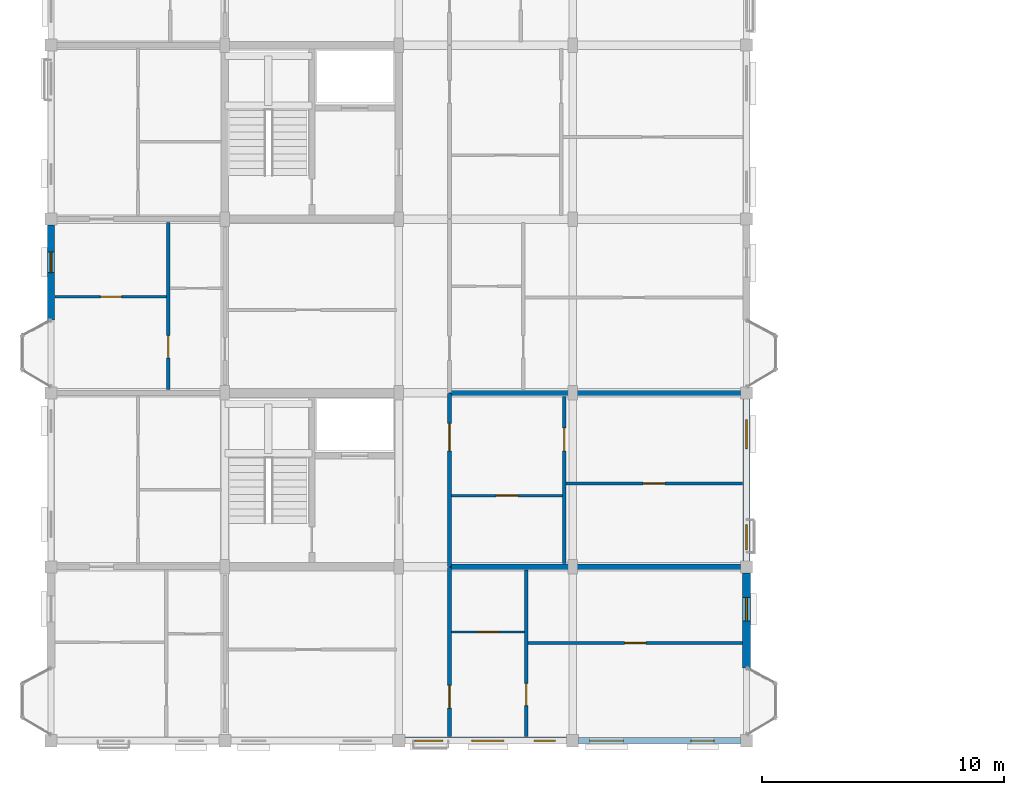
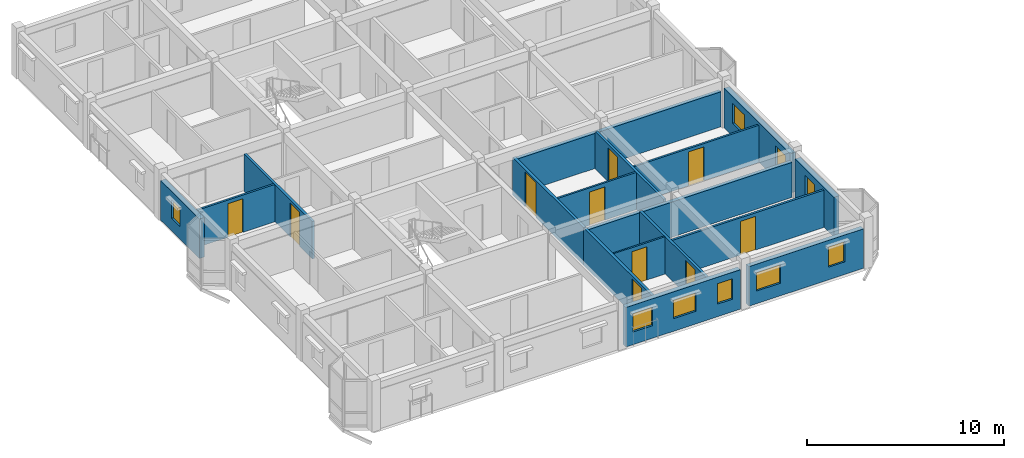
# One storey, part 40 of 64: 17 walls, 10 doors, 9 windows, 19 openings.
"""IFC4 building model written with IfcOpenShell, lengths in metres."""

import ifcopenshell
import ifcopenshell.guid

model = None  # the IFC model being written
_history = None  # IfcOwnerHistory: only IFC2X3 demands one
_inside = {}  # id of a spatial element -> (the spatial element, [elements in it])
_under = {}  # id of a project, library or spatial element -> (it, [spatial elements below it])
_declared = {}  # id of a project -> (the project, [libraries it declares])
_typed = {}  # id of a type object -> (the type object, [elements of that type])
_made_of = {}  # id of a material, layer set ... -> (it, [elements and type objects made of it])


def new_model(schema):
    """Start an empty IFC model of exactly this schema.

    Asked for "IFC4X3", IfcOpenShell would pick the latest addendum, in which some entities
    have other attributes; the version numbers below select the first issue.
    IFC2X3 requires an IfcOwnerHistory on every rooted entity: one is made here for all.
    """
    global model, _history
    if schema == "IFC4X3":
        model = ifcopenshell.file(schema_version=(4, 3, 0, 0))
    else:
        model = ifcopenshell.file(schema=schema)
    _inside.clear()
    _under.clear()
    _declared.clear()
    _typed.clear()
    _made_of.clear()
    _history = None
    if model.schema == "IFC2X3":
        org = make("IfcOrganization", Name="unknown")
        user = make(
            "IfcPersonAndOrganization",
            ThePerson=make("IfcPerson", FamilyName="unknown"),
            TheOrganization=org,
        )
        app = make(
            "IfcApplication",
            ApplicationDeveloper=org,
            Version="unknown",
            ApplicationFullName="unknown",
            ApplicationIdentifier="unknown",
        )
        _history = make(
            "IfcOwnerHistory",
            OwningUser=user,
            OwningApplication=app,
            ChangeAction="ADDED",
            CreationDate=0,
        )
    return model


def make(cls, **values):
    """One entity of the class cls with the attributes given. An attribute that is None is left unset."""
    return model.create_entity(
        cls, **{name: value for name, value in values.items() if value is not None}
    )


def rooted(cls, **values):
    """An entity with a GlobalId (a new one), such as an element, a storey or a relation."""
    return make(cls, GlobalId=ifcopenshell.guid.new(), OwnerHistory=_history, **values)


def si_unit(unit_type, name, prefix=None):
    """IfcSIUnit, for example si_unit("LENGTHUNIT", "METRE", prefix="MILLI")."""
    return make("IfcSIUnit", UnitType=unit_type, Prefix=prefix, Name=name)


def assignment(units):
    """IfcUnitAssignment: the units of a project."""
    return None if units is None else make("IfcUnitAssignment", Units=units)


def point(xyz):
    """IfcCartesianPoint."""
    return None if xyz is None else make("IfcCartesianPoint", Coordinates=xyz)


def direction(xyz):
    """IfcDirection."""
    return None if xyz is None else make("IfcDirection", DirectionRatios=xyz)


def frame(location, z_axis=None, x_axis=None):
    """IfcAxis2Placement3D, a coordinate frame: its origin and axes. An axis left out is left unset."""
    return make(
        "IfcAxis2Placement3D",
        Location=point(location),
        Axis=direction(z_axis),
        RefDirection=direction(x_axis),
    )


def frame_2d(location, x_axis=None):
    """IfcAxis2Placement2D, a coordinate frame in the plane: its origin and x axis."""
    return make(
        "IfcAxis2Placement2D", Location=point(location), RefDirection=direction(x_axis)
    )


def origin():
    """The frame at (0, 0, 0) with its axes left unset."""
    return frame((0.0, 0.0, 0.0))


def place(relative_to, where):
    """IfcLocalPlacement: puts the frame where relative to a parent placement (None: the world)."""
    return make(
        "IfcLocalPlacement", PlacementRelTo=relative_to, RelativePlacement=where
    )


def context(
    kind, dimensions, precision=None, world=None, true_north=None, identifier=None
):
    """IfcGeometricRepresentationContext, for example the 3D "Model" context."""
    return make(
        "IfcGeometricRepresentationContext",
        ContextIdentifier=identifier,
        ContextType=kind,
        CoordinateSpaceDimension=dimensions,
        Precision=precision,
        WorldCoordinateSystem=world,
        TrueNorth=true_north,
    )


def subcontext(parent, identifier, kind, view, scale=None):
    """IfcGeometricRepresentationSubContext, for example "Body" below "Model"."""
    return make(
        "IfcGeometricRepresentationSubContext",
        ContextIdentifier=identifier,
        ContextType=kind,
        ParentContext=parent,
        TargetScale=scale,
        TargetView=view,
    )


def project(units=None, contexts=None):
    """IfcProject with its units and contexts."""
    return rooted(
        "IfcProject",
        Name="project",
        RepresentationContexts=contexts,
        UnitsInContext=assignment(units),
    )


def spatial(cls, under=None, at=None, **own):
    """A site, building, storey or space (cls), placed at a placement, below another one or the project."""
    s = rooted(cls, ObjectPlacement=at, **own)
    if under is not None:
        _under.setdefault(under.id(), (under, []))[1].append(s)
    return s


def profile(cls, at=None, kind="AREA", **sizes):
    """A parametric profile (cls). Its sizes go by their IFC names, for example OverallWidth=200.0."""
    return make(cls, ProfileType=kind, Position=at, **sizes)


def rectangle(**sizes):
    """IfcRectangleProfileDef."""
    return profile("IfcRectangleProfileDef", **sizes)


def extrude(swept, where, along, depth):
    """IfcExtrudedAreaSolid: the profile swept, set in the frame where, extruded along a direction by depth."""
    return make(
        "IfcExtrudedAreaSolid",
        SweptArea=swept,
        Position=where,
        ExtrudedDirection=direction(along),
        Depth=depth,
    )


def shape(context_of_items, identifier, shape_type, items):
    """IfcShapeRepresentation: the items that make up one representation, for example the "Body"."""
    return make(
        "IfcShapeRepresentation",
        ContextOfItems=context_of_items,
        RepresentationIdentifier=identifier,
        RepresentationType=shape_type,
        Items=items,
    )


def material(Name=None, Category=None):
    """IfcMaterial."""
    return make("IfcMaterial", Name=Name, Category=Category)


def layer(
    of_material, thickness, ventilated=None, Name=None, Category=None, Priority=None
):
    """IfcMaterialLayer: one layer of a wall or slab, of a material (None: an air gap)."""
    return make(
        "IfcMaterialLayer",
        Material=of_material,
        LayerThickness=thickness,
        IsVentilated=ventilated,
        Name=Name,
        Category=Category,
        Priority=Priority,
    )


def layer_set(layers, Name=None):
    """IfcMaterialLayerSet."""
    return make("IfcMaterialLayerSet", MaterialLayers=layers, LayerSetName=Name)


def made_of(thing, what):
    """Note that an element or type object is made of a material, layer set ...; save() writes the relation."""
    if what is not None:
        _made_of.setdefault(what.id(), (what, []))[1].append(thing)
    return thing


def type_object(cls, material=None, **own):
    """A type object (cls), such as IfcWallType, which elements share."""
    return made_of(rooted(cls, **own), material)


def element(
    cls,
    number,
    at=None,
    inside=None,
    cuts=None,
    type_object=None,
    material=None,
    context=None,
    identifier="Body",
    shape_type=None,
    held_by="IfcProductDefinitionShape",
    body=None,
    shapes=None,
    **own,
):
    """One element of the class cls, such as IfcWall. Its Tag is "e" and its number.

    at: its placement. inside: the storey or other place that contains it. cuts: it is an
    opening in that element (IfcRelVoidsElement). A single representation is given by context,
    identifier, shape_type and body (its items); several are given by shapes. held_by: the class
    of the entity that holds the representations. save() writes the other relations.
    """
    e = rooted(cls, Tag="e%d" % number, ObjectPlacement=at, **own)
    if body is not None:
        shapes = [shape(context, identifier, shape_type, body)]
    if shapes is not None:
        e.Representation = make(held_by, Representations=shapes)
    if inside is not None:
        _inside.setdefault(inside.id(), (inside, []))[1].append(e)
    if cuts is not None:
        rooted(
            "IfcRelVoidsElement", RelatingBuildingElement=cuts, RelatedOpeningElement=e
        )
    if type_object is not None:
        _typed.setdefault(type_object.id(), (type_object, []))[1].append(e)
    return made_of(e, material)


def fill(opening, filler):
    """IfcRelFillsElement: the door or window that sits in an opening."""
    return rooted(
        "IfcRelFillsElement",
        RelatingOpeningElement=opening,
        RelatedBuildingElement=filler,
    )


def aggregate(whole, parts):
    """IfcRelAggregates: a whole, such as a stair, and the parts it consists of."""
    return rooted("IfcRelAggregates", RelatingObject=whole, RelatedObjects=parts)


def save(model, path):
    """Write the relations noted so far, then the file.

    IfcRelAggregates (storeys below a building ...), IfcRelContainedInSpatialStructure (elements
    in a storey), IfcRelDefinesByType, IfcRelAssociatesMaterial and IfcRelDeclares: one each for
    every whole, place, type object, material and project.
    """
    for whole, parts in _under.values():
        aggregate(whole, parts)
    for where, things in _inside.values():
        rooted(
            "IfcRelContainedInSpatialStructure",
            RelatedElements=things,
            RelatingStructure=where,
        )
    for kind, things in _typed.values():
        rooted("IfcRelDefinesByType", RelatedObjects=things, RelatingType=kind)
    for what, things in _made_of.values():
        rooted("IfcRelAssociatesMaterial", RelatedObjects=things, RelatingMaterial=what)
    for by, libraries in _declared.values():
        rooted("IfcRelDeclares", RelatingContext=by, RelatedDefinitions=libraries)
    model.write(path)


model = new_model("IFC4")

# Units and contexts
model_context = context("Model", 3, precision=1e-05, world=origin(), true_north=direction((0.0, 1.0)))
body_context = subcontext(model_context, "Body", "Model", "MODEL_VIEW")
ifc_project = project(units=[si_unit("LENGTHUNIT", "METRE"), si_unit("AREAUNIT", "SQUARE_METRE"), si_unit("VOLUMEUNIT", "CUBIC_METRE"), si_unit("PLANEANGLEUNIT", "RADIAN"), si_unit("MASSUNIT", "GRAM", prefix="KILO"), si_unit("THERMODYNAMICTEMPERATUREUNIT", "KELVIN"), si_unit("POWERUNIT", "WATT")], contexts=[model_context])

# Site, building, storey
site_placement = place(None, origin())
site = spatial("IfcSite", under=ifc_project, at=site_placement, CompositionType="ELEMENT")
building_placement = place(site_placement, origin())
building = spatial("IfcBuilding", under=site, at=building_placement, Name="Tavuni Mirador Residences", CompositionType="ELEMENT")
storey_placement = place(building_placement, frame((0.0, 0.0, 26.550048828125)))
storey = spatial("IfcBuildingStorey", under=building, at=storey_placement, Name="L08", CompositionType="ELEMENT", Elevation=26.550048828125)

# Wall, opening, door
ifc_material_1 = material(Name="Precast concrete C40/50", Category="concrete")
ifc_layer_1 = layer(ifc_material_1, 0.1650390625, Name="Precast concrete C40/50", Category="concrete")
ifc_layer_set_1 = layer_set([ifc_layer_1], Name="Precast concrete C40/50")
wall_type_1 = type_object("IfcWallType", Name="WT-CORR165", PredefinedType="PARTITIONING", material=ifc_layer_set_1)
wall_1_placement = place(storey_placement, frame((20.10009765625, 7.375, 0.0), z_axis=(0.0, 0.0, 1.0), x_axis=(0.0, 1.0, 0.0)))
wall_1 = element("IfcWall", 1, at=wall_1_placement, inside=storey, type_object=wall_type_1, Name="CORW-BLK-A-L08-0-00", PredefinedType="PARTITIONING", context=body_context, shape_type="SweptSolid", body=[
    extrude(rectangle(XDim=7.0048828125, YDim=0.1650390625, at=frame_2d((3.50244140625, 0.0))), origin(), (0.0, 0.0, 1.0), 2.304931640625),
])
opening_1_placement = place(wall_1_placement, frame((1.175048828125, 0.0, 0.0)))
opening_1 = element("IfcOpeningElement", 2, at=opening_1_placement, cuts=wall_1, Name="Opening D-19", PredefinedType="OPENING", context=body_context, shape_type="SweptSolid", body=[
    extrude(rectangle(XDim=0.93994140625, YDim=2.1201171875, at=frame_2d((0.469970703125, 1.06005859375))), frame((0.0, 0.092529296875, 0.0), z_axis=(0.0, -1.0, 0.0), x_axis=(1.0, 0.0, 0.0)), (0.0, 0.0, 1.0), 0.18505859375),
])
ifc_material_2 = material(Name="Solid core iroko timber", Category="wood")
door_type_1 = type_object("IfcDoorType", Name="DT-FD60-940", OperationType="NOTDEFINED", PredefinedType="DOOR", material=ifc_material_2)
door_1_placement = place(opening_1_placement, origin())
door_1 = element("IfcDoor", 3, at=door_1_placement, inside=storey, type_object=door_type_1, Name="DR-2461", OperationType="SINGLE_SWING_RIGHT", OverallHeight=2.1201171875, OverallWidth=0.93994140625, PredefinedType="DOOR", context=body_context, shape_type="SweptSolid", body=[
    extrude(rectangle(XDim=0.93994140625, YDim=2.1201171875, at=frame_2d((0.469970703125, 1.06005859375))), frame((0.0, 0.02490234375, 0.0), z_axis=(0.0, -1.0, 0.0), x_axis=(1.0, 0.0, 0.0)), (0.0, 0.0, 1.0), 0.050048828125),
])
fill(opening_1, door_1)

wall_2_placement = place(storey_placement, frame((20.10009765625, 14.419921875, 0.0), z_axis=(0.0, 0.0, 1.0), x_axis=(0.0, 1.0, 0.0)))
wall_2 = element("IfcWall", 4, at=wall_2_placement, inside=storey, type_object=wall_type_1, Name="CORW-BLK-A-L08-0-01", PredefinedType="PARTITIONING", context=body_context, shape_type="SweptSolid", body=[
    extrude(rectangle(XDim=7.16015625, YDim=0.1650390625, at=frame_2d((3.580078125, 0.0))), origin(), (0.0, 0.0, 1.0), 2.304931640625),
])
opening_2_placement = place(wall_2_placement, frame((4.780029296875, 0.0, 0.0)))
opening_2 = element("IfcOpeningElement", 5, at=opening_2_placement, cuts=wall_2, Name="Opening D-20", PredefinedType="OPENING", context=body_context, shape_type="SweptSolid", body=[
    extrude(rectangle(XDim=1.139892578125, YDim=2.179931640625, at=frame_2d((0.56982421875, 1.08984375))), frame((0.0, 0.092529296875, 0.0), z_axis=(0.0, -1.0, 0.0), x_axis=(1.0, 0.0, 0.0)), (0.0, 0.0, 1.0), 0.18505859375),
])
door_type_2 = type_object("IfcDoorType", Name="DT-FD60-1140", OperationType="NOTDEFINED", PredefinedType="DOOR", material=ifc_material_2)
door_2_placement = place(opening_2_placement, origin())
door_2 = element("IfcDoor", 6, at=door_2_placement, inside=storey, type_object=door_type_2, Name="DR-2462", OperationType="SINGLE_SWING_LEFT", OverallHeight=2.179931640625, OverallWidth=1.139892578125, PredefinedType="DOOR", context=body_context, shape_type="SweptSolid", body=[
    extrude(rectangle(XDim=1.139892578125, YDim=2.179931640625, at=frame_2d((0.56982421875, 1.08984375))), frame((0.0, 0.02490234375, 0.0), z_axis=(0.0, -1.0, 0.0), x_axis=(1.0, 0.0, 0.0)), (0.0, 0.0, 1.0), 0.050048828125),
])
fill(opening_2, door_2)

# Wall, openings, windows
ifc_material_3 = material(Name="Sgraffito lime-rendered precast concrete C40/50", Category="concrete")
ifc_layer_2 = layer(ifc_material_3, 0.27490234375, Name="Sgraffito lime-rendered precast concrete C40/50", Category="concrete")
ifc_layer_set_2 = layer_set([ifc_layer_2], Name="Sgraffito lime-rendered precast concrete C40/50")
wall_type_2 = type_object("IfcWallType", Name="WT-EXT-PC275", PredefinedType="SOLIDWALL", material=ifc_layer_set_2)
wall_3_placement = place(storey_placement, frame((25.449951171875, 7.199951171875, 0.0), z_axis=(0.0, 0.0, 1.0), x_axis=(1.0, 0.0, 0.0)))
wall_3 = element("IfcWall", 7, at=wall_3_placement, inside=storey, type_object=wall_type_2, Name="EW-BLK-A-L08-S03", PredefinedType="SOLIDWALL", context=body_context, shape_type="SweptSolid", body=[
    extrude(rectangle(XDim=6.699951171875, YDim=0.27490234375, at=frame_2d((3.35009765625, 0.0))), origin(), (0.0, 0.0, 1.0), 2.43994140625),
])
opening_3_placement = place(wall_3_placement, frame((0.449951171875, 0.0, 0.780029296875)))
opening_3 = element("IfcOpeningElement", 8, at=opening_3_placement, cuts=wall_3, Name="Opening WN-08", PredefinedType="OPENING", context=body_context, shape_type="SweptSolid", body=[
    extrude(rectangle(XDim=1.39990234375, YDim=1.14990234375, at=frame_2d((0.699951171875, 0.574951171875))), frame((0.0, 0.1474609375, 0.0), z_axis=(0.0, -1.0, 0.0), x_axis=(1.0, 0.0, 0.0)), (0.0, 0.0, 1.0), 0.294921875),
])
opening_4_placement = place(wall_3_placement, frame((4.64990234375, 0.0, 0.780029296875)))
opening_4 = element("IfcOpeningElement", 9, at=opening_4_placement, cuts=wall_3, Name="Opening WN-10", PredefinedType="OPENING", context=body_context, shape_type="SweptSolid", body=[
    extrude(rectangle(XDim=0.9599609375, YDim=1.260009765625, at=frame_2d((0.47998046875, 0.6298828125))), frame((0.0, 0.1474609375, 0.0), z_axis=(0.0, -1.0, 0.0), x_axis=(1.0, 0.0, 0.0)), (0.0, 0.0, 1.0), 0.294921875),
])
ifc_material_4 = material(Name="Laminated solar-control glass", Category="glass")
window_type_1 = type_object("IfcWindowType", Name="WNT-08", PartitioningType="SINGLE_PANEL", PredefinedType="WINDOW", material=ifc_material_4)
window_1_placement = place(opening_3_placement, origin())
window_1 = element("IfcWindow", 10, at=window_1_placement, inside=storey, type_object=window_type_1, Name="WIN-0299", OverallHeight=1.14990234375, OverallWidth=1.39990234375, PartitioningType="SINGLE_PANEL", PredefinedType="WINDOW", context=body_context, shape_type="SweptSolid", body=[
    extrude(rectangle(XDim=1.39990234375, YDim=1.14990234375, at=frame_2d((0.699951171875, 0.574951171875))), frame((0.0, 0.030029296875, 0.0), z_axis=(0.0, -1.0, 0.0), x_axis=(1.0, 0.0, 0.0)), (0.0, 0.0, 1.0), 0.06005859375),
])
fill(opening_3, window_1)
window_type_2 = type_object("IfcWindowType", Name="WNT-10", PartitioningType="SINGLE_PANEL", PredefinedType="WINDOW", material=ifc_material_4)
window_2_placement = place(opening_4_placement, origin())
window_2 = element("IfcWindow", 11, at=window_2_placement, inside=storey, type_object=window_type_2, Name="WIN-0300", OverallHeight=1.260009765625, OverallWidth=0.9599609375, PartitioningType="SINGLE_PANEL", PredefinedType="WINDOW", context=body_context, shape_type="SweptSolid", body=[
    extrude(rectangle(XDim=0.9599609375, YDim=1.260009765625, at=frame_2d((0.47998046875, 0.6298828125))), frame((0.0, 0.030029296875, 0.0), z_axis=(0.0, -1.0, 0.0), x_axis=(1.0, 0.0, 0.0)), (0.0, 0.0, 1.0), 0.06005859375),
])
fill(opening_4, window_2)

ifc_layer_3 = layer(ifc_material_3, 0.2900390625, Name="Sgraffito lime-rendered precast concrete C40/50", Category="concrete")
ifc_layer_set_3 = layer_set([ifc_layer_3], Name="Sgraffito lime-rendered precast concrete C40/50")
wall_type_3 = type_object("IfcWallType", Name="WT-EXT-PC290", PredefinedType="SOLIDWALL", material=ifc_layer_set_3)
wall_4_placement = place(storey_placement, frame((18.25, 7.199951171875, 0.0), z_axis=(0.0, 0.0, 1.0), x_axis=(1.0, 0.0, 0.0)))
wall_4 = element("IfcWall", 12, at=wall_4_placement, inside=storey, type_object=wall_type_3, Name="EW-BLK-A-L08-S02", PredefinedType="SOLIDWALL", context=body_context, shape_type="SweptSolid", body=[
    extrude(rectangle(XDim=6.699951171875, YDim=0.2900390625, at=frame_2d((3.35009765625, 0.0))), origin(), (0.0, 0.0, 1.0), 2.43994140625),
])
opening_5_placement = place(wall_4_placement, frame((0.4150390625, 0.0, 0.780029296875)))
opening_5 = element("IfcOpeningElement", 13, at=opening_5_placement, cuts=wall_4, Name="Opening WN-05", PredefinedType="OPENING", context=body_context, shape_type="SweptSolid", body=[
    extrude(rectangle(XDim=1.159912109375, YDim=1.14990234375, at=frame_2d((0.580078125, 0.574951171875))), frame((0.0, 0.155029296875, 0.0), z_axis=(0.0, -1.0, 0.0), x_axis=(1.0, 0.0, 0.0)), (0.0, 0.0, 1.0), 0.31005859375),
])
opening_6_placement = place(wall_4_placement, frame((2.780029296875, 0.0, 0.780029296875)))
opening_6 = element("IfcOpeningElement", 14, at=opening_6_placement, cuts=wall_4, Name="Opening WN-07", PredefinedType="OPENING", context=body_context, shape_type="SweptSolid", body=[
    extrude(rectangle(XDim=1.320068359375, YDim=1.14990234375, at=frame_2d((0.66015625, 0.574951171875))), frame((0.0, 0.155029296875, 0.0), z_axis=(0.0, -1.0, 0.0), x_axis=(1.0, 0.0, 0.0)), (0.0, 0.0, 1.0), 0.31005859375),
])
opening_7_placement = place(wall_4_placement, frame((5.35498046875, 0.0, 0.780029296875)))
opening_7 = element("IfcOpeningElement", 15, at=opening_7_placement, cuts=wall_4, Name="Opening WN-09", PredefinedType="OPENING", context=body_context, shape_type="SweptSolid", body=[
    extrude(rectangle(XDim=0.8798828125, YDim=1.260009765625, at=frame_2d((0.43994140625, 0.6298828125))), frame((0.0, 0.155029296875, 0.0), z_axis=(0.0, -1.0, 0.0), x_axis=(1.0, 0.0, 0.0)), (0.0, 0.0, 1.0), 0.31005859375),
])
window_type_3 = type_object("IfcWindowType", Name="WNT-05", PartitioningType="SINGLE_PANEL", PredefinedType="WINDOW", material=ifc_material_4)
window_3_placement = place(opening_5_placement, origin())
window_3 = element("IfcWindow", 16, at=window_3_placement, inside=storey, type_object=window_type_3, Name="WIN-0296", OverallHeight=1.14990234375, OverallWidth=1.159912109375, PartitioningType="SINGLE_PANEL", PredefinedType="WINDOW", context=body_context, shape_type="SweptSolid", body=[
    extrude(rectangle(XDim=1.159912109375, YDim=1.14990234375, at=frame_2d((0.580078125, 0.574951171875))), frame((0.0, 0.030029296875, 0.0), z_axis=(0.0, -1.0, 0.0), x_axis=(1.0, 0.0, 0.0)), (0.0, 0.0, 1.0), 0.06005859375),
])
fill(opening_5, window_3)
window_type_4 = type_object("IfcWindowType", Name="WNT-07", PartitioningType="SINGLE_PANEL", PredefinedType="WINDOW", material=ifc_material_4)
window_4_placement = place(opening_6_placement, origin())
window_4 = element("IfcWindow", 17, at=window_4_placement, inside=storey, type_object=window_type_4, Name="WIN-0297", OverallHeight=1.14990234375, OverallWidth=1.320068359375, PartitioningType="SINGLE_PANEL", PredefinedType="WINDOW", context=body_context, shape_type="SweptSolid", body=[
    extrude(rectangle(XDim=1.320068359375, YDim=1.14990234375, at=frame_2d((0.66015625, 0.574951171875))), frame((0.0, 0.030029296875, 0.0), z_axis=(0.0, -1.0, 0.0), x_axis=(1.0, 0.0, 0.0)), (0.0, 0.0, 1.0), 0.06005859375),
])
fill(opening_6, window_4)
window_type_5 = type_object("IfcWindowType", Name="WNT-09", PartitioningType="SINGLE_PANEL", PredefinedType="WINDOW", material=ifc_material_4)
window_5_placement = place(opening_7_placement, origin())
window_5 = element("IfcWindow", 18, at=window_5_placement, inside=storey, type_object=window_type_5, Name="WIN-0298", OverallHeight=1.260009765625, OverallWidth=0.8798828125, PartitioningType="SINGLE_PANEL", PredefinedType="WINDOW", context=body_context, shape_type="SweptSolid", body=[
    extrude(rectangle(XDim=0.8798828125, YDim=1.260009765625, at=frame_2d((0.43994140625, 0.6298828125))), frame((0.0, 0.030029296875, 0.0), z_axis=(0.0, -1.0, 0.0), x_axis=(1.0, 0.0, 0.0)), (0.0, 0.0, 1.0), 0.06005859375),
])
fill(opening_7, window_5)

# Wall, opening, window
wall_5_placement = place(storey_placement, frame((3.60009765625, 28.550048828125, 0.0), z_axis=(0.0, 0.0, 1.0), x_axis=(0.0, -1.0, 0.0)))
wall_5 = element("IfcWall", 19, at=wall_5_placement, inside=storey, type_object=wall_type_3, Name="EW-BLK-A-L08-W02", PredefinedType="SOLIDWALL", context=body_context, shape_type="SweptSolid", body=[
    extrude(rectangle(XDim=3.929931640625, YDim=0.2900390625, at=frame_2d((1.96484375, 0.0))), origin(), (0.0, 0.0, 1.0), 2.43994140625),
])
opening_8_placement = place(wall_5_placement, frame((1.114990234375, 0.0, 0.780029296875)))
opening_8 = element("IfcOpeningElement", 20, at=opening_8_placement, cuts=wall_5, Name="Opening WN-01", PredefinedType="OPENING", context=body_context, shape_type="SweptSolid", body=[
    extrude(rectangle(XDim=0.85009765625, YDim=1.14990234375, at=frame_2d((0.425048828125, 0.574951171875))), frame((0.0, 0.155029296875, 0.0), z_axis=(0.0, -1.0, 0.0), x_axis=(1.0, 0.0, 0.0)), (0.0, 0.0, 1.0), 0.31005859375),
])
window_type_6 = type_object("IfcWindowType", Name="WNT-01", PartitioningType="SINGLE_PANEL", PredefinedType="WINDOW", material=ifc_material_4)
window_6_placement = place(opening_8_placement, origin())
window_6 = element("IfcWindow", 21, at=window_6_placement, inside=storey, type_object=window_type_6, Name="WIN-0322", OverallHeight=1.14990234375, OverallWidth=0.85009765625, PartitioningType="SINGLE_PANEL", PredefinedType="WINDOW", context=body_context, shape_type="SweptSolid", body=[
    extrude(rectangle(XDim=0.85009765625, YDim=1.14990234375, at=frame_2d((0.425048828125, 0.574951171875))), frame((0.0, 0.030029296875, 0.0), z_axis=(0.0, -1.0, 0.0), x_axis=(1.0, 0.0, 0.0)), (0.0, 0.0, 1.0), 0.06005859375),
])
fill(opening_8, window_6)

# Wall, openings, windows
ifc_layer_4 = layer(ifc_material_3, 0.304931640625, Name="Sgraffito lime-rendered precast concrete C40/50", Category="concrete")
ifc_layer_set_4 = layer_set([ifc_layer_4], Name="Sgraffito lime-rendered precast concrete C40/50")
wall_type_4 = type_object("IfcWallType", Name="WT-EXT-PC305", PredefinedType="SOLIDWALL", material=ifc_layer_set_4)
wall_6_placement = place(storey_placement, frame((32.39990234375, 14.64990234375, 0.0), z_axis=(0.0, 0.0, 1.0), x_axis=(0.0, 1.0, 0.0)))
wall_6 = element("IfcWall", 22, at=wall_6_placement, inside=storey, type_object=wall_type_4, Name="EW-BLK-A-L08-E01", PredefinedType="SOLIDWALL", context=body_context, shape_type="SweptSolid", body=[
    extrude(rectangle(XDim=6.7001953125, YDim=0.304931640625, at=frame_2d((3.35009765625, 0.0))), origin(), (0.0, 0.0, 1.0), 2.43994140625),
])
opening_9_placement = place(wall_6_placement, frame((0.449951171875, 0.0, 0.780029296875)))
opening_9 = element("IfcOpeningElement", 23, at=opening_9_placement, cuts=wall_6, Name="Opening WN-11", PredefinedType="OPENING", context=body_context, shape_type="SweptSolid", body=[
    extrude(rectangle(XDim=1.0400390625, YDim=1.260009765625, at=frame_2d((0.52001953125, 0.6298828125))), frame((0.0, 0.16259765625, 0.0), z_axis=(0.0, -1.0, 0.0), x_axis=(1.0, 0.0, 0.0)), (0.0, 0.0, 1.0), 0.324951171875),
])
opening_10_placement = place(wall_6_placement, frame((4.64990234375, 0.0, 0.780029296875)))
opening_10 = element("IfcOpeningElement", 24, at=opening_10_placement, cuts=wall_6, Name="Opening WN-13", PredefinedType="OPENING", context=body_context, shape_type="SweptSolid", body=[
    extrude(rectangle(XDim=1.199951171875, YDim=1.260009765625, at=frame_2d((0.60009765625, 0.6298828125))), frame((0.0, 0.16259765625, 0.0), z_axis=(0.0, -1.0, 0.0), x_axis=(1.0, 0.0, 0.0)), (0.0, 0.0, 1.0), 0.324951171875),
])
window_type_7 = type_object("IfcWindowType", Name="WNT-11", PartitioningType="SINGLE_PANEL", PredefinedType="WINDOW", material=ifc_material_4)
window_7_placement = place(opening_9_placement, origin())
window_7 = element("IfcWindow", 25, at=window_7_placement, inside=storey, type_object=window_type_7, Name="WIN-0302", OverallHeight=1.260009765625, OverallWidth=1.0400390625, PartitioningType="SINGLE_PANEL", PredefinedType="WINDOW", context=body_context, shape_type="SweptSolid", body=[
    extrude(rectangle(XDim=1.0400390625, YDim=1.260009765625, at=frame_2d((0.52001953125, 0.6298828125))), frame((0.0, 0.030029296875, 0.0), z_axis=(0.0, -1.0, 0.0), x_axis=(1.0, 0.0, 0.0)), (0.0, 0.0, 1.0), 0.06005859375),
])
fill(opening_9, window_7)
window_type_8 = type_object("IfcWindowType", Name="WNT-13", PartitioningType="SINGLE_PANEL", PredefinedType="WINDOW", material=ifc_material_4)
window_8_placement = place(opening_10_placement, origin())
window_8 = element("IfcWindow", 26, at=window_8_placement, inside=storey, type_object=window_type_8, Name="WIN-0303", OverallHeight=1.260009765625, OverallWidth=1.199951171875, PartitioningType="SINGLE_PANEL", PredefinedType="WINDOW", context=body_context, shape_type="SweptSolid", body=[
    extrude(rectangle(XDim=1.199951171875, YDim=1.260009765625, at=frame_2d((0.60009765625, 0.6298828125))), frame((0.0, 0.030029296875, 0.0), z_axis=(0.0, -1.0, 0.0), x_axis=(1.0, 0.0, 0.0)), (0.0, 0.0, 1.0), 0.06005859375),
])
fill(opening_10, window_8)

# Wall, opening, window
ifc_layer_5 = layer(ifc_material_3, 0.31494140625, Name="Sgraffito lime-rendered precast concrete C40/50", Category="concrete")
ifc_layer_set_5 = layer_set([ifc_layer_5], Name="Sgraffito lime-rendered precast concrete C40/50")
wall_type_5 = type_object("IfcWallType", Name="WT-EXT-PC315", PredefinedType="SOLIDWALL", material=ifc_layer_set_5)
wall_7_placement = place(storey_placement, frame((32.39990234375, 10.219970703125, 0.0), z_axis=(0.0, 0.0, 1.0), x_axis=(0.0, 1.0, 0.0)))
wall_7 = element("IfcWall", 27, at=wall_7_placement, inside=storey, type_object=wall_type_5, Name="EW-BLK-A-L08-E00", PredefinedType="SOLIDWALL", context=body_context, shape_type="SweptSolid", body=[
    extrude(rectangle(XDim=3.929931640625, YDim=0.31494140625, at=frame_2d((1.96484375, 0.0))), origin(), (0.0, 0.0, 1.0), 2.43994140625),
])
opening_11_placement = place(wall_7_placement, frame((1.945068359375, 0.0, 0.780029296875)))
opening_11 = element("IfcOpeningElement", 28, at=opening_11_placement, cuts=wall_7, Name="Opening WN-10", PredefinedType="OPENING", context=body_context, shape_type="SweptSolid", body=[
    extrude(rectangle(XDim=0.9599609375, YDim=1.260009765625, at=frame_2d((0.47998046875, 0.6298828125))), frame((0.0, 0.16748046875, 0.0), z_axis=(0.0, -1.0, 0.0), x_axis=(1.0, 0.0, 0.0)), (0.0, 0.0, 1.0), 0.3349609375),
])
window_9_placement = place(opening_11_placement, origin())
window_9 = element("IfcWindow", 29, at=window_9_placement, inside=storey, type_object=window_type_2, Name="WIN-0301", OverallHeight=1.260009765625, OverallWidth=0.9599609375, PartitioningType="SINGLE_PANEL", PredefinedType="WINDOW", context=body_context, shape_type="SweptSolid", body=[
    extrude(rectangle(XDim=0.9599609375, YDim=1.260009765625, at=frame_2d((0.47998046875, 0.6298828125))), frame((0.0, 0.030029296875, 0.0), z_axis=(0.0, -1.0, 0.0), x_axis=(1.0, 0.0, 0.0)), (0.0, 0.0, 1.0), 0.06005859375),
])
fill(opening_11, window_9)

# Wall, opening, door
ifc_material_5 = material(Name="Acoustic gypsum and concrete block partition", Category="concrete")
ifc_layer_6 = layer(ifc_material_5, 0.094970703125, Name="Acoustic gypsum and concrete block partition", Category="concrete")
ifc_layer_set_6 = layer_set([ifc_layer_6], Name="Acoustic gypsum and concrete block partition")
wall_type_6 = type_object("IfcWallType", Name="WT-PART095", PredefinedType="PARTITIONING", material=ifc_layer_set_6)
wall_8_placement = place(storey_placement, frame((20.18994140625, 11.699951171875, 0.0), z_axis=(0.0, 0.0, 1.0), x_axis=(1.0, 0.0, 0.0)))
wall_8 = element("IfcWall", 30, at=wall_8_placement, inside=storey, type_object=wall_type_6, Name="PW-BLK-A-L08-E00-IN1", PredefinedType="PARTITIONING", context=body_context, shape_type="SweptSolid", body=[
    extrude(rectangle(XDim=3.02001953125, YDim=0.094970703125, at=frame_2d((1.510009765625, 0.0))), origin(), (0.0, 0.0, 1.0), 2.304931640625),
])
opening_12_placement = place(wall_8_placement, frame((1.074951171875, 0.0, 0.0)))
opening_12 = element("IfcOpeningElement", 31, at=opening_12_placement, cuts=wall_8, Name="Opening D-10", PredefinedType="OPENING", context=body_context, shape_type="SweptSolid", body=[
    extrude(rectangle(XDim=0.8701171875, YDim=2.050048828125, at=frame_2d((0.43505859375, 1.02490234375))), frame((0.0, 0.0576171875, 0.0), z_axis=(0.0, -1.0, 0.0), x_axis=(1.0, 0.0, 0.0)), (0.0, 0.0, 1.0), 0.114990234375),
])
door_type_3 = type_object("IfcDoorType", Name="DT-WC870", OperationType="NOTDEFINED", PredefinedType="DOOR", material=ifc_material_2)
door_3_placement = place(opening_12_placement, origin())
door_3 = element("IfcDoor", 32, at=door_3_placement, inside=storey, type_object=door_type_3, Name="DR-3202", OperationType="SINGLE_SWING_LEFT", OverallHeight=2.050048828125, OverallWidth=0.8701171875, PredefinedType="DOOR", context=body_context, shape_type="SweptSolid", body=[
    extrude(rectangle(XDim=0.8701171875, YDim=2.050048828125, at=frame_2d((0.43505859375, 1.02490234375))), frame((0.0, 0.02490234375, 0.0), z_axis=(0.0, -1.0, 0.0), x_axis=(1.0, 0.0, 0.0)), (0.0, 0.0, 1.0), 0.050048828125),
])
fill(opening_12, door_3)

ifc_layer_7 = layer(ifc_material_5, 0.10498046875, Name="Acoustic gypsum and concrete block partition", Category="concrete")
ifc_layer_set_7 = layer_set([ifc_layer_7], Name="Acoustic gypsum and concrete block partition")
wall_type_7 = type_object("IfcWallType", Name="WT-PART105", PredefinedType="PARTITIONING", material=ifc_layer_set_7)
wall_9_placement = place(storey_placement, frame((20.18994140625, 17.35009765625, 0.0), z_axis=(0.0, 0.0, 1.0), x_axis=(1.0, 0.0, 0.0)))
wall_9 = element("IfcWall", 33, at=wall_9_placement, inside=storey, type_object=wall_type_7, Name="PW-BLK-A-L08-E01-IN1", PredefinedType="PARTITIONING", context=body_context, shape_type="SweptSolid", body=[
    extrude(rectangle(XDim=4.590087890625, YDim=0.10498046875, at=frame_2d((2.294921875, 0.0))), origin(), (0.0, 0.0, 1.0), 2.304931640625),
])
opening_13_placement = place(wall_9_placement, frame((1.844970703125, 0.0, 0.0)))
opening_13 = element("IfcOpeningElement", 34, at=opening_13_placement, cuts=wall_9, Name="Opening D-09", PredefinedType="OPENING", context=body_context, shape_type="SweptSolid", body=[
    extrude(rectangle(XDim=0.89990234375, YDim=2.050048828125, at=frame_2d((0.449951171875, 1.02490234375))), frame((0.0, 0.0625, 0.0), z_axis=(0.0, -1.0, 0.0), x_axis=(1.0, 0.0, 0.0)), (0.0, 0.0, 1.0), 0.125),
])
door_type_4 = type_object("IfcDoorType", Name="DT-WC900", OperationType="NOTDEFINED", PredefinedType="DOOR", material=ifc_material_2)
door_4_placement = place(opening_13_placement, origin())
door_4 = element("IfcDoor", 35, at=door_4_placement, inside=storey, type_object=door_type_4, Name="DR-3207", OperationType="SINGLE_SWING_RIGHT", OverallHeight=2.050048828125, OverallWidth=0.89990234375, PredefinedType="DOOR", context=body_context, shape_type="SweptSolid", body=[
    extrude(rectangle(XDim=0.89990234375, YDim=2.050048828125, at=frame_2d((0.449951171875, 1.02490234375))), frame((0.0, 0.02490234375, 0.0), z_axis=(0.0, -1.0, 0.0), x_axis=(1.0, 0.0, 0.0)), (0.0, 0.0, 1.0), 0.050048828125),
])
fill(opening_13, door_4)

ifc_layer_8 = layer(ifc_material_5, 0.114990234375, Name="Acoustic gypsum and concrete block partition", Category="concrete")
ifc_layer_set_8 = layer_set([ifc_layer_8], Name="Acoustic gypsum and concrete block partition")
wall_type_8 = type_object("IfcWallType", Name="WT-PART115", PredefinedType="PARTITIONING", material=ifc_layer_set_8)
wall_10_placement = place(storey_placement, frame((24.919921875, 17.85009765625, 0.0), z_axis=(0.0, 0.0, 1.0), x_axis=(1.0, 0.0, 0.0)))
wall_10 = element("IfcWall", 36, at=wall_10_placement, inside=storey, type_object=wall_type_8, Name="PW-BLK-A-L08-E01-OUT", PredefinedType="PARTITIONING", context=body_context, shape_type="SweptSolid", body=[
    extrude(rectangle(XDim=7.30517578125, YDim=0.114990234375, at=frame_2d((3.652587890625, 0.0))), origin(), (0.0, 0.0, 1.0), 2.304931640625),
])
opening_14_placement = place(wall_10_placement, frame((3.202392578125, 0.0, 0.0)))
opening_14 = element("IfcOpeningElement", 37, at=opening_14_placement, cuts=wall_10, Name="Opening D-07", PredefinedType="OPENING", context=body_context, shape_type="SweptSolid", body=[
    extrude(rectangle(XDim=0.89990234375, YDim=2.10009765625, at=frame_2d((0.449951171875, 1.050048828125))), frame((0.0, 0.0673828125, 0.0), z_axis=(0.0, -1.0, 0.0), x_axis=(1.0, 0.0, 0.0)), (0.0, 0.0, 1.0), 0.135009765625),
])
door_type_5 = type_object("IfcDoorType", Name="DT-BED900", OperationType="NOTDEFINED", PredefinedType="DOOR", material=ifc_material_2)
door_5_placement = place(opening_14_placement, origin())
door_5 = element("IfcDoor", 38, at=door_5_placement, inside=storey, type_object=door_type_5, Name="DR-3206", OperationType="SINGLE_SWING_LEFT", OverallHeight=2.10009765625, OverallWidth=0.89990234375, PredefinedType="DOOR", context=body_context, shape_type="SweptSolid", body=[
    extrude(rectangle(XDim=0.89990234375, YDim=2.10009765625, at=frame_2d((0.449951171875, 1.050048828125))), frame((0.0, 0.02490234375, 0.0), z_axis=(0.0, -1.0, 0.0), x_axis=(1.0, 0.0, 0.0)), (0.0, 0.0, 1.0), 0.050048828125),
])
fill(opening_14, door_5)

wall_11_placement = place(storey_placement, frame((3.77490234375, 25.580078125, 0.0), z_axis=(0.0, 0.0, 1.0), x_axis=(1.0, 0.0, 0.0)))
wall_11 = element("IfcWall", 39, at=wall_11_placement, inside=storey, type_object=wall_type_8, Name="PW-BLK-A-L08-W02-OUT", PredefinedType="PARTITIONING", context=body_context, shape_type="SweptSolid", body=[
    extrude(rectangle(XDim=4.614990234375, YDim=0.114990234375, at=frame_2d((2.3076171875, 0.0))), origin(), (0.0, 0.0, 1.0), 2.304931640625),
])
opening_15_placement = place(wall_11_placement, frame((1.867431640625, 0.0, 0.0)))
opening_15 = element("IfcOpeningElement", 40, at=opening_15_placement, cuts=wall_11, Name="Opening D-08", PredefinedType="OPENING", context=body_context, shape_type="SweptSolid", body=[
    extrude(rectangle(XDim=0.8798828125, YDim=2.080078125, at=frame_2d((0.43994140625, 1.0400390625))), frame((0.0, 0.0673828125, 0.0), z_axis=(0.0, -1.0, 0.0), x_axis=(1.0, 0.0, 0.0)), (0.0, 0.0, 1.0), 0.135009765625),
])
door_type_6 = type_object("IfcDoorType", Name="DT-BED880", OperationType="NOTDEFINED", PredefinedType="DOOR", material=ifc_material_2)
door_6_placement = place(opening_15_placement, origin())
door_6 = element("IfcDoor", 41, at=door_6_placement, inside=storey, type_object=door_type_6, Name="DR-3210", OperationType="SINGLE_SWING_RIGHT", OverallHeight=2.080078125, OverallWidth=0.8798828125, PredefinedType="DOOR", context=body_context, shape_type="SweptSolid", body=[
    extrude(rectangle(XDim=0.8798828125, YDim=2.080078125, at=frame_2d((0.43994140625, 1.0400390625))), frame((0.0, 0.02490234375, 0.0), z_axis=(0.0, -1.0, 0.0), x_axis=(1.0, 0.0, 0.0)), (0.0, 0.0, 1.0), 0.050048828125),
])
fill(opening_15, door_6)

ifc_layer_9 = layer(ifc_material_5, 0.125, Name="Acoustic gypsum and concrete block partition", Category="concrete")
ifc_layer_set_9 = layer_set([ifc_layer_9], Name="Acoustic gypsum and concrete block partition")
wall_type_9 = type_object("IfcWallType", Name="WT-PART125", PredefinedType="PARTITIONING", material=ifc_layer_set_9)
wall_12_placement = place(storey_placement, frame((23.35009765625, 11.25, 0.0), z_axis=(0.0, 0.0, 1.0), x_axis=(1.0, 0.0, 0.0)))
wall_12 = element("IfcWall", 42, at=wall_12_placement, inside=storey, type_object=wall_type_9, Name="PW-BLK-A-L08-E00-OUT", PredefinedType="PARTITIONING", context=body_context, shape_type="SweptSolid", body=[
    extrude(rectangle(XDim=8.875, YDim=0.125, at=frame_2d((4.4375, 0.0))), origin(), (0.0, 0.0, 1.0), 2.304931640625),
])
opening_16_placement = place(wall_12_placement, frame((3.99755859375, 0.0, 0.0)))
opening_16 = element("IfcOpeningElement", 43, at=opening_16_placement, cuts=wall_12, Name="Opening D-08", PredefinedType="OPENING", context=body_context, shape_type="SweptSolid", body=[
    extrude(rectangle(XDim=0.8798828125, YDim=2.080078125, at=frame_2d((0.43994140625, 1.0400390625))), frame((0.0, 0.072509765625, 0.0), z_axis=(0.0, -1.0, 0.0), x_axis=(1.0, 0.0, 0.0)), (0.0, 0.0, 1.0), 0.14501953125),
])
door_7_placement = place(opening_16_placement, origin())
door_7 = element("IfcDoor", 44, at=door_7_placement, inside=storey, type_object=door_type_6, Name="DR-3201", OperationType="SINGLE_SWING_RIGHT", OverallHeight=2.080078125, OverallWidth=0.8798828125, PredefinedType="DOOR", context=body_context, shape_type="SweptSolid", body=[
    extrude(rectangle(XDim=0.8798828125, YDim=2.080078125, at=frame_2d((0.43994140625, 1.0400390625))), frame((0.0, 0.02490234375, 0.0), z_axis=(0.0, -1.0, 0.0), x_axis=(1.0, 0.0, 0.0)), (0.0, 0.0, 1.0), 0.050048828125),
])
fill(opening_16, door_7)

ifc_layer_10 = layer(ifc_material_5, 0.139892578125, Name="Acoustic gypsum and concrete block partition", Category="concrete")
ifc_layer_set_10 = layer_set([ifc_layer_10], Name="Acoustic gypsum and concrete block partition")
wall_type_10 = type_object("IfcWallType", Name="WT-PART140", PredefinedType="PARTITIONING", material=ifc_layer_set_10)
wall_13_placement = place(storey_placement, frame((24.85009765625, 14.5400390625, 0.0), z_axis=(0.0, 0.0, 1.0), x_axis=(0.0, 1.0, 0.0)))
wall_13 = element("IfcWall", 45, at=wall_13_placement, inside=storey, type_object=wall_type_10, Name="PW-BLK-A-L08-E01-MID", PredefinedType="PARTITIONING", context=body_context, shape_type="SweptSolid", body=[
    extrude(rectangle(XDim=6.919921875, YDim=0.139892578125, at=frame_2d((3.4599609375, 0.0))), origin(), (0.0, 0.0, 1.0), 2.304931640625),
])
opening_17_placement = place(wall_13_placement, frame((4.659912109375, 0.0, 0.0)))
opening_17 = element("IfcOpeningElement", 46, at=opening_17_placement, cuts=wall_13, Name="Opening D-05", PredefinedType="OPENING", context=body_context, shape_type="SweptSolid", body=[
    extrude(rectangle(XDim=0.949951171875, YDim=2.10009765625, at=frame_2d((0.47509765625, 1.050048828125))), frame((0.0, 0.080078125, 0.0), z_axis=(0.0, -1.0, 0.0), x_axis=(1.0, 0.0, 0.0)), (0.0, 0.0, 1.0), 0.159912109375),
])
door_type_7 = type_object("IfcDoorType", Name="DT-INT950", OperationType="NOTDEFINED", PredefinedType="DOOR", material=ifc_material_2)
door_8_placement = place(opening_17_placement, origin())
door_8 = element("IfcDoor", 47, at=door_8_placement, inside=storey, type_object=door_type_7, Name="DR-3208", OperationType="SINGLE_SWING_LEFT", OverallHeight=2.10009765625, OverallWidth=0.949951171875, PredefinedType="DOOR", context=body_context, shape_type="SweptSolid", body=[
    extrude(rectangle(XDim=0.949951171875, YDim=2.10009765625, at=frame_2d((0.47509765625, 1.050048828125))), frame((0.0, 0.02490234375, 0.0), z_axis=(0.0, -1.0, 0.0), x_axis=(1.0, 0.0, 0.0)), (0.0, 0.0, 1.0), 0.050048828125),
])
fill(opening_17, door_8)

wall_14_placement = place(storey_placement, frame((8.4599609375, 21.739990234375, 0.0), z_axis=(0.0, 0.0, 1.0), x_axis=(0.0, 1.0, 0.0)))
wall_14 = element("IfcWall", 48, at=wall_14_placement, inside=storey, type_object=wall_type_10, Name="PW-BLK-A-L08-W02-MID", PredefinedType="PARTITIONING", context=body_context, shape_type="SweptSolid", body=[
    extrude(rectangle(XDim=6.919921875, YDim=0.139892578125, at=frame_2d((3.4599609375, 0.0))), origin(), (0.0, 0.0, 1.0), 2.304931640625),
])
opening_18_placement = place(wall_14_placement, frame((1.31005859375, 0.0, 0.0)))
opening_18 = element("IfcOpeningElement", 49, at=opening_18_placement, cuts=wall_14, Name="Opening D-06", PredefinedType="OPENING", context=body_context, shape_type="SweptSolid", body=[
    extrude(rectangle(XDim=0.919921875, YDim=2.10009765625, at=frame_2d((0.4599609375, 1.050048828125))), frame((0.0, 0.080078125, 0.0), z_axis=(0.0, -1.0, 0.0), x_axis=(1.0, 0.0, 0.0)), (0.0, 0.0, 1.0), 0.159912109375),
])
door_type_8 = type_object("IfcDoorType", Name="DT-INT920", OperationType="NOTDEFINED", PredefinedType="DOOR", material=ifc_material_2)
door_9_placement = place(opening_18_placement, origin())
door_9 = element("IfcDoor", 50, at=door_9_placement, inside=storey, type_object=door_type_8, Name="DR-3212", OperationType="SINGLE_SWING_RIGHT", OverallHeight=2.10009765625, OverallWidth=0.919921875, PredefinedType="DOOR", context=body_context, shape_type="SweptSolid", body=[
    extrude(rectangle(XDim=0.919921875, YDim=2.10009765625, at=frame_2d((0.4599609375, 1.050048828125))), frame((0.0, 0.02490234375, 0.0), z_axis=(0.0, -1.0, 0.0), x_axis=(1.0, 0.0, 0.0)), (0.0, 0.0, 1.0), 0.050048828125),
])
fill(opening_18, door_9)

ifc_layer_11 = layer(ifc_material_5, 0.14990234375, Name="Acoustic gypsum and concrete block partition", Category="concrete")
ifc_layer_set_11 = layer_set([ifc_layer_11], Name="Acoustic gypsum and concrete block partition")
wall_type_11 = type_object("IfcWallType", Name="WT-PART150", PredefinedType="PARTITIONING", material=ifc_layer_set_11)
wall_15_placement = place(storey_placement, frame((23.280029296875, 7.375, 0.0), z_axis=(0.0, 0.0, 1.0), x_axis=(0.0, 1.0, 0.0)))
wall_15 = element("IfcWall", 51, at=wall_15_placement, inside=storey, type_object=wall_type_11, Name="PW-BLK-A-L08-E00-MID", PredefinedType="PARTITIONING", context=body_context, shape_type="SweptSolid", body=[
    extrude(rectangle(XDim=6.885009765625, YDim=0.14990234375, at=frame_2d((3.4423828125, 0.0))), origin(), (0.0, 0.0, 1.0), 2.304931640625),
])
opening_19_placement = place(wall_15_placement, frame((1.27490234375, 0.0, 0.0)))
opening_19 = element("IfcOpeningElement", 52, at=opening_19_placement, cuts=wall_15, Name="Opening D-06", PredefinedType="OPENING", context=body_context, shape_type="SweptSolid", body=[
    extrude(rectangle(XDim=0.919921875, YDim=2.10009765625, at=frame_2d((0.4599609375, 1.050048828125))), frame((0.0, 0.0849609375, 0.0), z_axis=(0.0, -1.0, 0.0), x_axis=(1.0, 0.0, 0.0)), (0.0, 0.0, 1.0), 0.169921875),
])
door_10_placement = place(opening_19_placement, origin())
door_10 = element("IfcDoor", 53, at=door_10_placement, inside=storey, type_object=door_type_8, Name="DR-3203", OperationType="SINGLE_SWING_RIGHT", OverallHeight=2.10009765625, OverallWidth=0.919921875, PredefinedType="DOOR", context=body_context, shape_type="SweptSolid", body=[
    extrude(rectangle(XDim=0.919921875, YDim=2.10009765625, at=frame_2d((0.4599609375, 1.050048828125))), frame((0.0, 0.02490234375, 0.0), z_axis=(0.0, -1.0, 0.0), x_axis=(1.0, 0.0, 0.0)), (0.0, 0.0, 1.0), 0.050048828125),
])
fill(opening_19, door_10)

# Walls
ifc_layer_12 = layer(ifc_material_1, 0.215087890625, Name="Precast concrete C40/50", Category="concrete")
ifc_layer_set_12 = layer_set([ifc_layer_12], Name="Precast concrete C40/50")
wall_type_12 = type_object("IfcWallType", Name="WT-XW215", PredefinedType="SOLIDWALL", material=ifc_layer_set_12)
for number, where, z_axis, x_axis, name in (
    (54, (20.10009765625, 14.39990234375, 0.0), (0.0, 0.0, 1.0), (1.0, 0.0, 0.0), "XW-BLK-A-L08-E-01"),
    (55, (20.10009765625, 21.60009765625, 0.0), (0.0, 0.0, 1.0), (1.0, 0.0, 0.0), "XW-BLK-A-L08-E-02"),
):
    element("IfcWall", number, at=place(storey_placement, frame(where, z_axis=z_axis, x_axis=x_axis)), inside=storey, type_object=wall_type_12, Name=name, PredefinedType="SOLIDWALL", context=body_context, shape_type="SweptSolid", body=[
        extrude(rectangle(XDim=12.0498046875, YDim=0.215087890625, at=frame_2d((6.02490234375, 0.0))), origin(), (0.0, 0.0, 1.0), 2.169921875),
    ])

save(model, "model.ifc")
